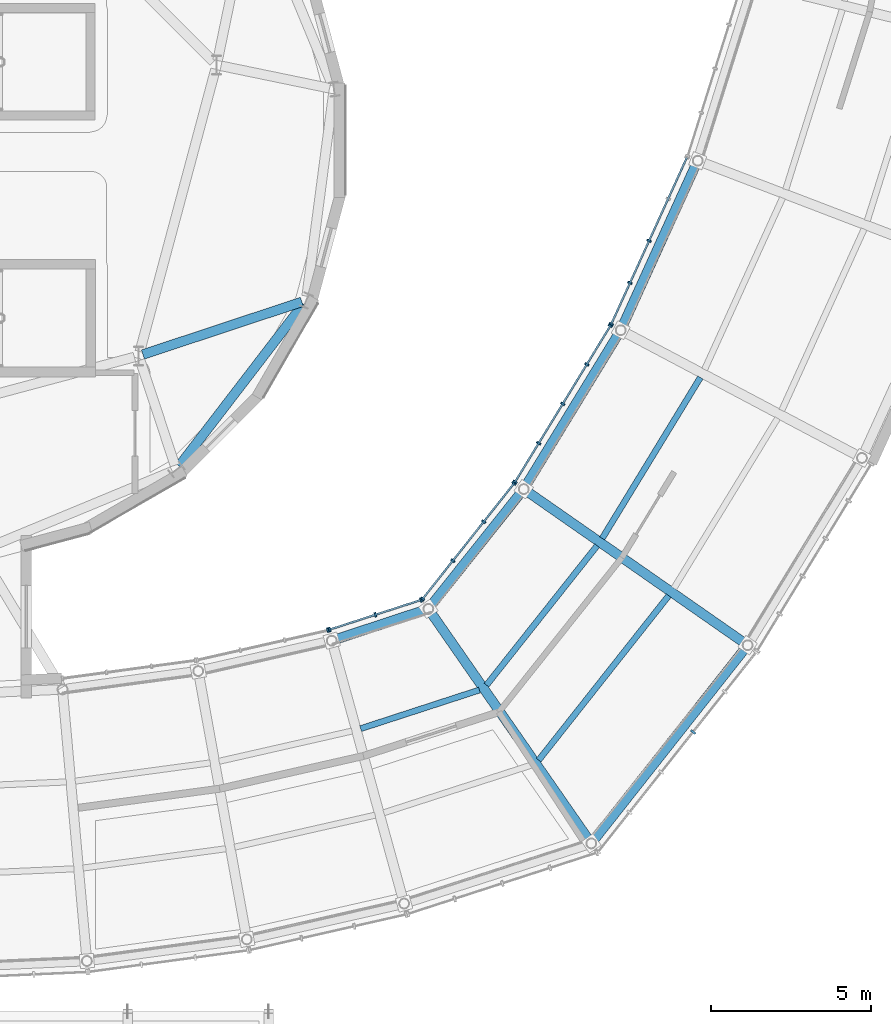
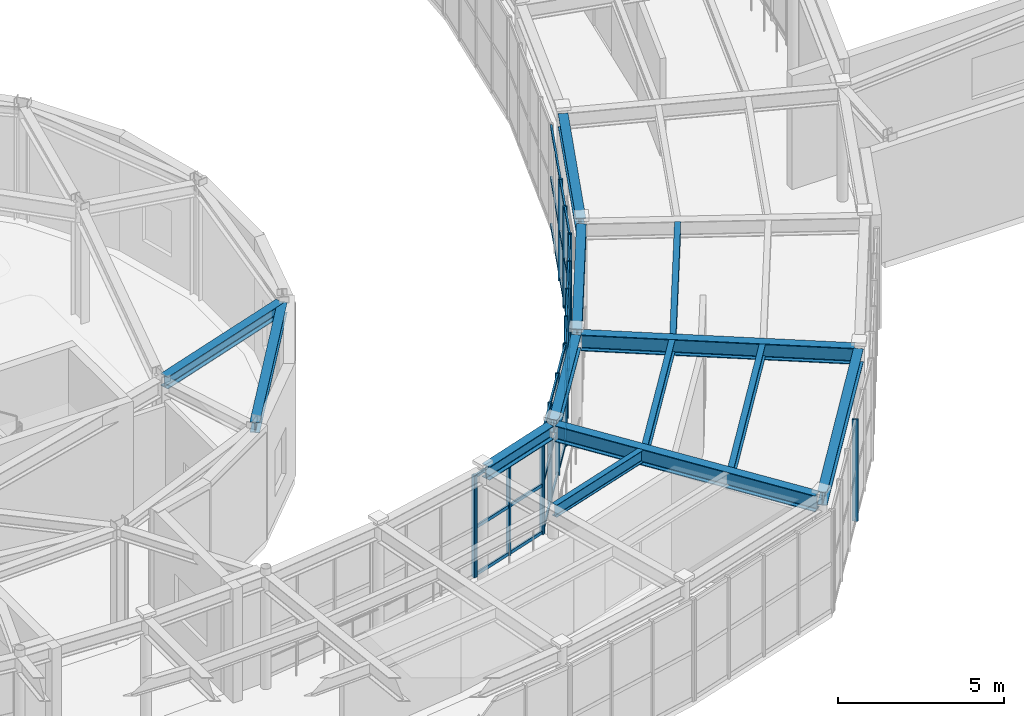
# One storey, part 29 of 103: 29 members, 13 beams, 6 elements without a shape of their own.
"""IFC4 building model written with IfcOpenShell, lengths in metres."""

from ifc_helpers import new_model, si_unit, direction, frame, origin, origin_2d, place, context, subcontext, project, spatial, rectangle, i_section, extrude, material, material_profile, profile_set, type_object, element, aggregate, save


model = new_model("IFC4")

# Units and contexts
model_context = context("Model", 3, precision=1e-05, world=origin(), true_north=direction((0.0, 1.0)))
body_context = subcontext(model_context, "Body", "Model", "MODEL_VIEW")
ifc_project = project(units=[si_unit("LENGTHUNIT", "METRE"), si_unit("AREAUNIT", "SQUARE_METRE"), si_unit("VOLUMEUNIT", "CUBIC_METRE"), si_unit("PLANEANGLEUNIT", "RADIAN"), si_unit("MASSUNIT", "GRAM", prefix="KILO")], contexts=[model_context])

# Site, building, storey
site_placement = place(None, origin())
site = spatial("IfcSite", under=ifc_project, at=site_placement, CompositionType="ELEMENT")
building_placement = place(site_placement, origin())
building = spatial("IfcBuilding", under=site, at=building_placement, Name="Varnklinge Art Gallery", CompositionType="ELEMENT")
storey_placement = place(building_placement, frame((0.0, 0.0, 5.10009765625)))
storey = spatial("IfcBuildingStorey", under=building, at=storey_placement, Name="L01", CompositionType="ELEMENT", Elevation=5.10009765625)

# Beams
ifc_material_1 = material(Name="Steel S355", Category="steel")
ifc_material_profile_1 = material_profile(ifc_material_1, i_section(OverallWidth=0.300048828125, OverallDepth=0.590087890625, WebThickness=0.012939453125, FlangeThickness=0.02490234375, FilletRadius=0.027099609375, at=origin_2d()), Name="HEA 600")
ifc_profile_set_1 = profile_set([ifc_material_profile_1], Name="Steel S355")
beam_type_1 = type_object("IfcBeamType", Name="BM-06", PredefinedType="BEAM", material=ifc_profile_set_1)
beam_1_placement = place(storey_placement, frame((96.19091796875, 16.755126953125, 3.885009765625), z_axis=(-0.570588727281, 0.821235961402, 0.0), x_axis=(-0.821235961402, -0.570588727281, 0.0)))
element("IfcBeam", 1, at=beam_1_placement, inside=storey, type_object=beam_type_1, Name="L01 BM-06 BM-V2-L02-R01", PredefinedType="BEAM", context=body_context, shape_type="SweptSolid", body=[
    extrude(i_section(OverallWidth=0.300048828125, OverallDepth=0.590087890625, WebThickness=0.012939453125, FlangeThickness=0.02490234375, FilletRadius=0.027099609375, at=origin_2d()), origin(), (0.0, 0.0, 1.0), 8.6318359375),
])
beam_2_placement = place(storey_placement, frame((101.03515625, 22.9052734375, 3.885009765625), z_axis=(-0.820324852304, 0.571897837635, 0.0), x_axis=(-0.571897837635, -0.820324852304, 0.0)))
element("IfcBeam", 2, at=beam_2_placement, inside=storey, type_object=beam_type_1, Name="L01 BM-06 BM-V2-L02-R02", PredefinedType="BEAM", context=body_context, shape_type="SweptSolid", body=[
    extrude(i_section(OverallWidth=0.300048828125, OverallDepth=0.590087890625, WebThickness=0.012939453125, FlangeThickness=0.02490234375, FilletRadius=0.027099609375, at=origin_2d()), origin(), (0.0, 0.0, 1.0), 8.2373046875),
])
ifc_material_2 = material(Name="Steel S355", Category="steel")
ifc_material_profile_2 = material_profile(ifc_material_2, i_section(OverallWidth=0.300048828125, OverallDepth=0.43994140625, WebThickness=0.011474609375, FlangeThickness=0.02099609375, FilletRadius=0.027099609375, at=origin_2d()), Name="HEA 450")
ifc_profile_set_2 = profile_set([ifc_material_profile_2], Name="Steel S355")
beam_type_2 = type_object("IfcBeamType", Name="BM-08", PredefinedType="BEAM", material=ifc_profile_set_2)
beam_3_placement = place(storey_placement, frame((82.27978515625, 31.897216796875, 3.97998046875), z_axis=(0.949354152102, 0.314208042366, 0.0), x_axis=(-0.314208042366, 0.949354152102, 0.0)))
element("IfcBeam", 3, at=beam_3_placement, inside=storey, type_object=beam_type_2, Name="L01 BM-08 BM-V4D-L02-R12", PredefinedType="BEAM", context=body_context, shape_type="SweptSolid", body=[
    extrude(i_section(OverallWidth=0.300048828125, OverallDepth=0.43994140625, WebThickness=0.011474609375, FlangeThickness=0.02099609375, FilletRadius=0.027099609375, at=origin_2d()), origin(), (0.0, 0.0, 1.0), 5.223876953125),
])
ifc_material_3 = material(Name="Steel S355", Category="steel")
ifc_material_profile_3 = material_profile(ifc_material_3, i_section(OverallWidth=0.18994140625, OverallDepth=0.449951171875, WebThickness=0.009521484375, FlangeThickness=0.0146484375, FilletRadius=0.02099609375, at=origin_2d()), Name="IPE 450")
ifc_profile_set_3 = profile_set([ifc_material_profile_3], Name="Steel S355")
beam_type_3 = type_object("IfcBeamType", Name="JST-04", PredefinedType="JOIST", material=ifc_profile_set_3)
beam_4_placement = place(storey_placement, frame((94.62890625, 19.23828125, 3.954833984375), z_axis=(0.620207823033, 0.784437541331, 0.0), x_axis=(-0.784437541331, 0.620207823033, 0.0)))
element("IfcBeam", 4, at=beam_4_placement, inside=storey, type_object=beam_type_3, Name="L01 JST-04 JST-V2-L02-01-1", PredefinedType="JOIST", context=body_context, shape_type="SweptSolid", body=[
    extrude(i_section(OverallWidth=0.18994140625, OverallDepth=0.449951171875, WebThickness=0.009521484375, FlangeThickness=0.0146484375, FilletRadius=0.02099609375, at=origin_2d()), origin(), (0.0, 0.0, 1.0), 6.5439453125),
])
beam_5_placement = place(storey_placement, frame((93.001708984375, 21.580322265625, 3.954833984375), z_axis=(0.621380748712, 0.783508752427, 0.0), x_axis=(-0.783508752427, 0.621380748712, 0.0)))
element("IfcBeam", 5, at=beam_5_placement, inside=storey, type_object=beam_type_3, Name="L01 JST-04 JST-V2-L02-01-2", PredefinedType="JOIST", context=body_context, shape_type="SweptSolid", body=[
    extrude(i_section(OverallWidth=0.18994140625, OverallDepth=0.449951171875, WebThickness=0.009521484375, FlangeThickness=0.0146484375, FilletRadius=0.02099609375, at=origin_2d()), origin(), (0.0, 0.0, 1.0), 5.552001953125),
])
beam_6_placement = place(storey_placement, frame((96.611572265625, 26.15966796875, 3.954833984375), z_axis=(0.520951279717, 0.853586412826, 0.0), x_axis=(-0.853586412826, 0.520951279717, 0.0)))
element("IfcBeam", 6, at=beam_6_placement, inside=storey, type_object=beam_type_3, Name="L01 JST-04 JST-V2-L02-02-2", PredefinedType="JOIST", context=body_context, shape_type="SweptSolid", body=[
    extrude(i_section(OverallWidth=0.18994140625, OverallDepth=0.449951171875, WebThickness=0.009521484375, FlangeThickness=0.0146484375, FilletRadius=0.02099609375, at=origin_2d()), origin(), (0.0, 0.0, 1.0), 5.8818359375),
])
beam_7_placement = place(storey_placement, frame((89.072509765625, 20.220703125, 3.954833984375), z_axis=(0.950949393045, 0.309346491603, 0.0), x_axis=(-0.309346491603, 0.950949393045, 0.0)))
element("IfcBeam", 7, at=beam_7_placement, inside=storey, type_object=beam_type_3, Name="L01 JST-04 JST-V2-L02-40-2", PredefinedType="JOIST", context=body_context, shape_type="SweptSolid", body=[
    extrude(i_section(OverallWidth=0.18994140625, OverallDepth=0.449951171875, WebThickness=0.009521484375, FlangeThickness=0.0146484375, FilletRadius=0.02099609375, at=origin_2d()), origin(), (0.0, 0.0, 1.0), 3.900390625),
])

# Curtain wall, member
ifc_material_4 = material(Name="Anodised Aluminium", Category="aluminium")
curtain_wall_type_1 = type_object("IfcCurtainWallType", Name="CW-R02", PredefinedType="USERDEFINED", material=ifc_material_4)
curtain_wall_1_placement = place(storey_placement, origin())
curtain_wall_1 = element("IfcCurtainWall", 8, at=curtain_wall_1_placement, inside=storey, type_object=curtain_wall_type_1, Name="L01 Curtain Wall CW-V2O-L01-01", ObjectType="UNITISED CURTAIN WALL", PredefinedType="USERDEFINED")
ifc_material_5 = material(Name="Anodised Aluminium", Category="aluminium")
ifc_material_profile_4 = material_profile(ifc_material_5, rectangle(XDim=0.06494140625, YDim=0.179931640625, at=origin_2d()), Name="ALU 65x180")
ifc_profile_set_4 = profile_set([ifc_material_profile_4], Name="Anodised Aluminium")
member_type_1 = type_object("IfcMemberType", Name="MUL-01", PredefinedType="MULLION", material=ifc_profile_set_4)
member_1_placement = place(storey_placement, frame((99.450439453125, 20.1162109375, 0.0), z_axis=(0.0, 0.0, 1.0), x_axis=(0.620737354217, 0.784018582101, 0.0)))
member_1 = element("IfcMember", 9, at=member_1_placement, type_object=member_type_1, Name="CW-V2O-L01-01 Mullion 4", PredefinedType="MULLION", context=body_context, shape_type="SweptSolid", body=[
    extrude(rectangle(XDim=0.06494140625, YDim=0.179931640625, at=origin_2d()), origin(), (0.0, 0.0, 1.0), 3.72998046875),
])
aggregate(curtain_wall_1, [member_1])

# Curtain wall, members
ifc_material_6 = material(Name="Anodised Aluminium", Category="aluminium")
curtain_wall_type_2 = type_object("IfcCurtainWallType", Name="CW-R04", PredefinedType="USERDEFINED", material=ifc_material_6)
curtain_wall_2_placement = place(storey_placement, origin())
curtain_wall_2 = element("IfcCurtainWall", 10, at=curtain_wall_2_placement, inside=storey, type_object=curtain_wall_type_2, Name="L01 Curtain Wall CW-V2I-L01-01", ObjectType="UNITISED CURTAIN WALL", PredefinedType="USERDEFINED")
ifc_material_7 = material(Name="Anodised Aluminium", Category="aluminium")
ifc_material_profile_5 = material_profile(ifc_material_7, rectangle(XDim=0.06005859375, YDim=0.139892578125, at=origin_2d()), Name="ALU 60x140")
ifc_profile_set_5 = profile_set([ifc_material_profile_5], Name="Anodised Aluminium")
member_type_2 = type_object("IfcMemberType", Name="MUL-03", PredefinedType="MULLION", material=ifc_profile_set_5)
member_2_placement = place(storey_placement, frame((93.857421875, 27.872802734375, 0.0), z_axis=(0.0, 0.0, 1.0), x_axis=(-0.620737354217, -0.784018582101, 0.0)))
member_2 = element("IfcMember", 11, at=member_2_placement, type_object=member_type_2, Name="CW-V2I-L01-01 Mullion 1", PredefinedType="MULLION", context=body_context, shape_type="SweptSolid", body=[
    extrude(rectangle(XDim=0.06005859375, YDim=0.139892578125, at=origin_2d()), origin(), (0.0, 0.0, 1.0), 3.72998046875),
])
member_3_placement = place(storey_placement, frame((92.91259765625, 26.6796875, 0.0), z_axis=(0.0, 0.0, 1.0), x_axis=(-0.620737354217, -0.784018582101, 0.0)))
member_3 = element("IfcMember", 12, at=member_3_placement, type_object=member_type_2, Name="CW-V2I-L01-01 Mullion 2", PredefinedType="MULLION", context=body_context, shape_type="SweptSolid", body=[
    extrude(rectangle(XDim=0.06005859375, YDim=0.139892578125, at=origin_2d()), origin(), (0.0, 0.0, 1.0), 3.72998046875),
])
member_4_placement = place(storey_placement, frame((91.94921875, 25.463134765625, 0.0), z_axis=(0.0, 0.0, 1.0), x_axis=(-0.620737354217, -0.784018582101, 0.0)))
member_4 = element("IfcMember", 13, at=member_4_placement, type_object=member_type_2, Name="CW-V2I-L01-01 Mullion 3", PredefinedType="MULLION", context=body_context, shape_type="SweptSolid", body=[
    extrude(rectangle(XDim=0.06005859375, YDim=0.139892578125, at=origin_2d()), origin(), (0.0, 0.0, 1.0), 3.72998046875),
])
member_5_placement = place(storey_placement, frame((91.004638671875, 24.27001953125, 0.0), z_axis=(0.0, 0.0, 1.0), x_axis=(-0.620737354217, -0.784018582101, 0.0)))
member_5 = element("IfcMember", 14, at=member_5_placement, type_object=member_type_2, Name="CW-V2I-L01-01 Mullion 4", PredefinedType="MULLION", context=body_context, shape_type="SweptSolid", body=[
    extrude(rectangle(XDim=0.06005859375, YDim=0.139892578125, at=origin_2d()), origin(), (0.0, 0.0, 1.0), 3.72998046875),
])

curtain_wall_3_placement = place(storey_placement, origin())
curtain_wall_3 = element("IfcCurtainWall", 15, at=curtain_wall_3_placement, inside=storey, type_object=curtain_wall_type_2, Name="L01 Curtain Wall CW-V2I-L01-02", ObjectType="UNITISED CURTAIN WALL", PredefinedType="USERDEFINED")
member_6_placement = place(storey_placement, frame((96.86474609375, 32.793701171875, 0.0), z_axis=(0.0, 0.0, 1.0), x_axis=(-0.520860651188, -0.85364171761, 0.0)))
member_6 = element("IfcMember", 16, at=member_6_placement, type_object=member_type_2, Name="CW-V2I-L01-02 Mullion 1", PredefinedType="MULLION", context=body_context, shape_type="SweptSolid", body=[
    extrude(rectangle(XDim=0.06005859375, YDim=0.139892578125, at=origin_2d()), origin(), (0.0, 0.0, 1.0), 3.72998046875),
])
member_7_placement = place(storey_placement, frame((96.129150390625, 31.58837890625, 0.0), z_axis=(0.0, 0.0, 1.0), x_axis=(-0.520860651188, -0.85364171761, 0.0)))
member_7 = element("IfcMember", 17, at=member_7_placement, type_object=member_type_2, Name="CW-V2I-L01-02 Mullion 2", PredefinedType="MULLION", context=body_context, shape_type="SweptSolid", body=[
    extrude(rectangle(XDim=0.06005859375, YDim=0.139892578125, at=origin_2d()), origin(), (0.0, 0.0, 1.0), 3.72998046875),
])
member_8_placement = place(storey_placement, frame((95.378173828125, 30.35791015625, 0.0), z_axis=(0.0, 0.0, 1.0), x_axis=(-0.520860651188, -0.85364171761, 0.0)))
member_8 = element("IfcMember", 18, at=member_8_placement, type_object=member_type_2, Name="CW-V2I-L01-02 Mullion 3", PredefinedType="MULLION", context=body_context, shape_type="SweptSolid", body=[
    extrude(rectangle(XDim=0.06005859375, YDim=0.139892578125, at=origin_2d()), origin(), (0.0, 0.0, 1.0), 3.72998046875),
])
member_9_placement = place(storey_placement, frame((94.627197265625, 29.127197265625, 0.0), z_axis=(0.0, 0.0, 1.0), x_axis=(-0.520860651188, -0.85364171761, 0.0)))
member_9 = element("IfcMember", 19, at=member_9_placement, type_object=member_type_2, Name="CW-V2I-L01-02 Mullion 4", PredefinedType="MULLION", context=body_context, shape_type="SweptSolid", body=[
    extrude(rectangle(XDim=0.06005859375, YDim=0.139892578125, at=origin_2d()), origin(), (0.0, 0.0, 1.0), 3.72998046875),
])
member_10_placement = place(storey_placement, frame((93.8916015625, 27.922119140625, 0.0), z_axis=(0.0, 0.0, 1.0), x_axis=(-0.520860651188, -0.85364171761, 0.0)))
member_10 = element("IfcMember", 20, at=member_10_placement, type_object=member_type_2, Name="CW-V2I-L01-02 Mullion 5", PredefinedType="MULLION", context=body_context, shape_type="SweptSolid", body=[
    extrude(rectangle(XDim=0.06005859375, YDim=0.139892578125, at=origin_2d()), origin(), (0.0, 0.0, 1.0), 3.72998046875),
])

curtain_wall_4_placement = place(storey_placement, origin())
curtain_wall_4 = element("IfcCurtainWall", 21, at=curtain_wall_4_placement, inside=storey, type_object=curtain_wall_type_2, Name="L01 Curtain Wall CW-V2I-L01-03", ObjectType="UNITISED CURTAIN WALL", PredefinedType="USERDEFINED")
member_11_placement = place(storey_placement, frame((98.072509765625, 35.44482421875, 0.0), z_axis=(0.0, 0.0, 1.0), x_axis=(-0.413422293217, -0.910539404678, 0.0)))
member_11 = element("IfcMember", 22, at=member_11_placement, type_object=member_type_2, Name="CW-V2I-L01-03 Mullion 3", PredefinedType="MULLION", context=body_context, shape_type="SweptSolid", body=[
    extrude(rectangle(XDim=0.06005859375, YDim=0.139892578125, at=origin_2d()), origin(), (0.0, 0.0, 1.0), 3.72998046875),
])
member_12_placement = place(storey_placement, frame((97.476318359375, 34.132080078125, 0.0), z_axis=(0.0, 0.0, 1.0), x_axis=(-0.413422293217, -0.910539404678, 0.0)))
member_12 = element("IfcMember", 23, at=member_12_placement, type_object=member_type_2, Name="CW-V2I-L01-03 Mullion 4", PredefinedType="MULLION", context=body_context, shape_type="SweptSolid", body=[
    extrude(rectangle(XDim=0.06005859375, YDim=0.139892578125, at=origin_2d()), origin(), (0.0, 0.0, 1.0), 3.72998046875),
])
member_13_placement = place(storey_placement, frame((96.892578125, 32.846435546875, 0.0), z_axis=(0.0, 0.0, 1.0), x_axis=(-0.413422293217, -0.910539404678, 0.0)))
member_13 = element("IfcMember", 24, at=member_13_placement, type_object=member_type_2, Name="CW-V2I-L01-03 Mullion 5", PredefinedType="MULLION", context=body_context, shape_type="SweptSolid", body=[
    extrude(rectangle(XDim=0.06005859375, YDim=0.139892578125, at=origin_2d()), origin(), (0.0, 0.0, 1.0), 3.72998046875),
])

# Curtain wall, member
curtain_wall_5_placement = place(storey_placement, origin())
curtain_wall_5 = element("IfcCurtainWall", 25, at=curtain_wall_5_placement, inside=storey, type_object=curtain_wall_type_2, Name="L01 Curtain Wall CW-V2I-L01-39", ObjectType="UNITISED CURTAIN WALL", PredefinedType="USERDEFINED")
member_14_placement = place(storey_placement, frame((88.04931640625, 23.297607421875, 0.0), z_axis=(0.0, 0.0, 1.0), x_axis=(-0.975071959883, -0.221888875454, 0.0)))
member_14 = element("IfcMember", 26, at=member_14_placement, type_object=member_type_2, Name="CW-V2I-L01-39 Mullion 1", PredefinedType="MULLION", context=body_context, shape_type="SweptSolid", body=[
    extrude(rectangle(XDim=0.06005859375, YDim=0.139892578125, at=origin_2d()), origin(), (0.0, 0.0, 1.0), 3.72998046875),
])
aggregate(curtain_wall_5, [member_14])

# Curtain wall, members
curtain_wall_6_placement = place(storey_placement, origin())
curtain_wall_6 = element("IfcCurtainWall", 27, at=curtain_wall_6_placement, inside=storey, type_object=curtain_wall_type_2, Name="L01 Curtain Wall CW-V2I-L01-40", ObjectType="UNITISED CURTAIN WALL", PredefinedType="USERDEFINED")
member_15_placement = place(storey_placement, frame((90.95751953125, 24.2373046875, 0.0), z_axis=(0.0, 0.0, 1.0), x_axis=(-0.951272019071, -0.30835295642, 0.0)))
member_15 = element("IfcMember", 28, at=member_15_placement, type_object=member_type_2, Name="CW-V2I-L01-40 Mullion 1", PredefinedType="MULLION", context=body_context, shape_type="SweptSolid", body=[
    extrude(rectangle(XDim=0.06005859375, YDim=0.139892578125, at=origin_2d()), origin(), (0.0, 0.0, 1.0), 3.72998046875),
])
member_16_placement = place(storey_placement, frame((89.5322265625, 23.775390625, 0.0), z_axis=(0.0, 0.0, 1.0), x_axis=(-0.951272019071, -0.30835295642, 0.0)))
member_16 = element("IfcMember", 29, at=member_16_placement, type_object=member_type_2, Name="CW-V2I-L01-40 Mullion 2", PredefinedType="MULLION", context=body_context, shape_type="SweptSolid", body=[
    extrude(rectangle(XDim=0.06005859375, YDim=0.139892578125, at=origin_2d()), origin(), (0.0, 0.0, 1.0), 3.72998046875),
])
member_17_placement = place(storey_placement, frame((88.107177734375, 23.3134765625, 0.0), z_axis=(0.0, 0.0, 1.0), x_axis=(-0.951272019071, -0.30835295642, 0.0)))
member_17 = element("IfcMember", 30, at=member_17_placement, type_object=member_type_2, Name="CW-V2I-L01-40 Mullion 3", PredefinedType="MULLION", context=body_context, shape_type="SweptSolid", body=[
    extrude(rectangle(XDim=0.06005859375, YDim=0.139892578125, at=origin_2d()), origin(), (0.0, 0.0, 1.0), 3.72998046875),
])

# Beams
ifc_material_8 = material(Name="Steel S355", Category="steel")
ifc_material_profile_6 = material_profile(ifc_material_8, i_section(OverallWidth=0.300048828125, OverallDepth=0.489990234375, WebThickness=0.011962890625, FlangeThickness=0.02294921875, FilletRadius=0.027099609375, at=origin_2d()), Name="HEA 500")
ifc_profile_set_6 = profile_set([ifc_material_profile_6], Name="Steel S355")
beam_type_4 = type_object("IfcBeamType", Name="SPB-01", PredefinedType="SPANDREL", material=ifc_profile_set_6)
beam_8_placement = place(storey_placement, frame((96.357666015625, 16.75, 3.934814453125), z_axis=(0.619327516232, 0.785132745233, 0.0), x_axis=(-0.785132745233, 0.619327516232, 0.0)))
element("IfcBeam", 31, at=beam_8_placement, inside=storey, type_object=beam_type_4, Name="L01 SPB-01 BM-V2-L02-O01", PredefinedType="SPANDREL", context=body_context, shape_type="SweptSolid", body=[
    extrude(i_section(OverallWidth=0.300048828125, OverallDepth=0.489990234375, WebThickness=0.011962890625, FlangeThickness=0.02294921875, FilletRadius=0.027099609375, at=origin_2d()), origin(), (0.0, 0.0, 1.0), 7.597900390625),
])
beam_9_placement = place(storey_placement, frame((91.27294921875, 24.068603515625, 3.934814453125), z_axis=(0.623138348458, 0.782111628018, 0.0), x_axis=(-0.782111628018, 0.623138348458, 0.0)))
element("IfcBeam", 32, at=beam_9_placement, inside=storey, type_object=beam_type_4, Name="L01 SPB-01 BM-V2-L02-I01", PredefinedType="SPANDREL", context=body_context, shape_type="SweptSolid", body=[
    extrude(i_section(OverallWidth=0.300048828125, OverallDepth=0.489990234375, WebThickness=0.011962890625, FlangeThickness=0.02294921875, FilletRadius=0.027099609375, at=origin_2d()), origin(), (0.0, 0.0, 1.0), 4.498046875),
])
beam_10_placement = place(storey_placement, frame((94.236083984375, 27.815673828125, 3.934814453125), z_axis=(0.520928443414, 0.853600349603, 0.0), x_axis=(-0.853600349603, 0.520928443414, 0.0)))
element("IfcBeam", 33, at=beam_10_placement, inside=storey, type_object=beam_type_4, Name="L01 SPB-01 BM-V2-L02-I02", PredefinedType="SPANDREL", context=body_context, shape_type="SweptSolid", body=[
    extrude(i_section(OverallWidth=0.300048828125, OverallDepth=0.489990234375, WebThickness=0.011962890625, FlangeThickness=0.02294921875, FilletRadius=0.027099609375, at=origin_2d()), origin(), (0.0, 0.0, 1.0), 5.52978515625),
])
beam_11_placement = place(storey_placement, frame((97.24755859375, 32.782958984375, 3.934814453125), z_axis=(0.413397065821, 0.910550858531, 0.0), x_axis=(-0.910550858531, 0.413397065821, 0.0)))
element("IfcBeam", 34, at=beam_11_placement, inside=storey, type_object=beam_type_4, Name="L01 SPB-01 BM-V2-L02-I03", PredefinedType="SPANDREL", context=body_context, shape_type="SweptSolid", body=[
    extrude(i_section(OverallWidth=0.300048828125, OverallDepth=0.489990234375, WebThickness=0.011962890625, FlangeThickness=0.02294921875, FilletRadius=0.027099609375, at=origin_2d()), origin(), (0.0, 0.0, 1.0), 5.529541015625),
])
beam_12_placement = place(storey_placement, frame((88.304443359375, 23.010498046875, 3.934814453125), z_axis=(0.94984963517, 0.312707004347, 0.0), x_axis=(-0.312707004347, 0.94984963517, 0.0)))
element("IfcBeam", 35, at=beam_12_placement, inside=storey, type_object=beam_type_4, Name="L01 SPB-01 BM-V2-L02-I40", PredefinedType="SPANDREL", context=body_context, shape_type="SweptSolid", body=[
    extrude(i_section(OverallWidth=0.300048828125, OverallDepth=0.489990234375, WebThickness=0.011962890625, FlangeThickness=0.02294921875, FilletRadius=0.027099609375, at=origin_2d()), origin(), (0.0, 0.0, 1.0), 2.893310546875),
])
ifc_material_9 = material(Name="Steel S355", Category="steel")
ifc_material_profile_7 = material_profile(ifc_material_9, i_section(OverallWidth=0.300048828125, OverallDepth=0.389892578125, WebThickness=0.010986328125, FlangeThickness=0.01904296875, FilletRadius=0.027099609375, at=origin_2d()), Name="HEA 400")
ifc_profile_set_7 = profile_set([ifc_material_profile_7], Name="Steel S355")
beam_type_5 = type_object("IfcBeamType", Name="SPB-03", PredefinedType="SPANDREL", material=ifc_profile_set_7)
beam_13_placement = place(storey_placement, frame((83.40771484375, 28.41650390625, 4.0048828125), z_axis=(0.608773359857, 0.793344185287, 0.0), x_axis=(-0.793344185287, 0.608773359857, 0.0)))
element("IfcBeam", 36, at=beam_13_placement, inside=storey, type_object=beam_type_5, Name="L01 SPB-03 BM-V4D-L02-P11", PredefinedType="SPANDREL", context=body_context, shape_type="SweptSolid", body=[
    extrude(i_section(OverallWidth=0.300048828125, OverallDepth=0.389892578125, WebThickness=0.010986328125, FlangeThickness=0.01904296875, FilletRadius=0.027099609375, at=origin_2d()), origin(), (0.0, 0.0, 1.0), 6.37158203125),
])

# Member
ifc_material_10 = material(Name="Anodised Aluminium", Category="aluminium")
ifc_material_profile_8 = material_profile(ifc_material_10, rectangle(XDim=0.06005859375, YDim=0.1201171875, at=origin_2d()), Name="ALU 60x120")
ifc_profile_set_8 = profile_set([ifc_material_profile_8], Name="Anodised Aluminium")
member_type_3 = type_object("IfcMemberType", Name="TRN-02", PredefinedType="USERDEFINED", material=ifc_profile_set_8)
member_18_placement = place(storey_placement, frame((93.857421875, 27.872802734375, 0.059814453125), z_axis=(-0.620780504553, -0.783984416405, 0.0), x_axis=(0.783984416405, -0.620780504553, 0.0)))
member_18 = element("IfcMember", 37, at=member_18_placement, type_object=member_type_3, Name="CW-V2I-L01-01 Transom 1", ObjectType="TRANSOM", PredefinedType="USERDEFINED", context=body_context, shape_type="SweptSolid", body=[
    extrude(rectangle(XDim=0.06005859375, YDim=0.1201171875, at=origin_2d()), origin(), (0.0, 0.0, 1.0), 4.595458984375),
])

member_19_placement = place(storey_placement, frame((93.857421875, 27.872802734375, 1.790283203125), z_axis=(-0.620780504553, -0.783984416405, 0.0), x_axis=(0.783984416405, -0.620780504553, 0.0)))
member_19 = element("IfcMember", 38, at=member_19_placement, type_object=member_type_3, Name="CW-V2I-L01-01 Transom 2", ObjectType="TRANSOM", PredefinedType="USERDEFINED", context=body_context, shape_type="SweptSolid", body=[
    extrude(rectangle(XDim=0.06005859375, YDim=0.1201171875, at=origin_2d()), origin(), (0.0, 0.0, 1.0), 4.595458984375),
])

member_20_placement = place(storey_placement, frame((93.857421875, 27.872802734375, 3.669921875), z_axis=(-0.620780504553, -0.783984416405, 0.0), x_axis=(0.783984416405, -0.620780504553, 0.0)))
member_20 = element("IfcMember", 39, at=member_20_placement, type_object=member_type_3, Name="CW-V2I-L01-01 Transom 3", ObjectType="TRANSOM", PredefinedType="USERDEFINED", context=body_context, shape_type="SweptSolid", body=[
    extrude(rectangle(XDim=0.06005859375, YDim=0.1201171875, at=origin_2d()), origin(), (0.0, 0.0, 1.0), 4.595458984375),
])

aggregate(curtain_wall_2, [member_2, member_3, member_4, member_5, member_18, member_19, member_20])

member_21_placement = place(storey_placement, frame((96.86474609375, 32.793701171875, 0.059814453125), z_axis=(-0.520948121202, -0.853588340488, 0.0), x_axis=(0.853588340488, -0.520948121202, 0.0)))
member_21 = element("IfcMember", 40, at=member_21_placement, type_object=member_type_3, Name="CW-V2I-L01-02 Transom 1", ObjectType="TRANSOM", PredefinedType="USERDEFINED", context=body_context, shape_type="SweptSolid", body=[
    extrude(rectangle(XDim=0.06005859375, YDim=0.1201171875, at=origin_2d()), origin(), (0.0, 0.0, 1.0), 5.707275390625),
])

member_22_placement = place(storey_placement, frame((96.86474609375, 32.793701171875, 1.790283203125), z_axis=(-0.520948121202, -0.853588340488, 0.0), x_axis=(0.853588340488, -0.520948121202, 0.0)))
member_22 = element("IfcMember", 41, at=member_22_placement, type_object=member_type_3, Name="CW-V2I-L01-02 Transom 2", ObjectType="TRANSOM", PredefinedType="USERDEFINED", context=body_context, shape_type="SweptSolid", body=[
    extrude(rectangle(XDim=0.06005859375, YDim=0.1201171875, at=origin_2d()), origin(), (0.0, 0.0, 1.0), 5.707275390625),
])

member_23_placement = place(storey_placement, frame((96.86474609375, 32.793701171875, 3.669921875), z_axis=(-0.520948121202, -0.853588340488, 0.0), x_axis=(0.853588340488, -0.520948121202, 0.0)))
member_23 = element("IfcMember", 42, at=member_23_placement, type_object=member_type_3, Name="CW-V2I-L01-02 Transom 3", ObjectType="TRANSOM", PredefinedType="USERDEFINED", context=body_context, shape_type="SweptSolid", body=[
    extrude(rectangle(XDim=0.06005859375, YDim=0.1201171875, at=origin_2d()), origin(), (0.0, 0.0, 1.0), 5.707275390625),
])

aggregate(curtain_wall_3, [member_6, member_7, member_8, member_9, member_10, member_21, member_22, member_23])

member_24_placement = place(storey_placement, frame((99.251953125, 38.043212890625, 0.059814453125), z_axis=(-0.413396814736, -0.910550972525, 0.0), x_axis=(0.910550972525, -0.413396814736, 0.0)))
member_24 = element("IfcMember", 43, at=member_24_placement, type_object=member_type_3, Name="CW-V2I-L01-03 Transom 1", ObjectType="TRANSOM", PredefinedType="USERDEFINED", context=body_context, shape_type="SweptSolid", body=[
    extrude(rectangle(XDim=0.06005859375, YDim=0.1201171875, at=origin_2d()), origin(), (0.0, 0.0, 1.0), 5.707275390625),
])

member_25_placement = place(storey_placement, frame((99.251953125, 38.043212890625, 1.790283203125), z_axis=(-0.413396814736, -0.910550972525, 0.0), x_axis=(0.910550972525, -0.413396814736, 0.0)))
member_25 = element("IfcMember", 44, at=member_25_placement, type_object=member_type_3, Name="CW-V2I-L01-03 Transom 2", ObjectType="TRANSOM", PredefinedType="USERDEFINED", context=body_context, shape_type="SweptSolid", body=[
    extrude(rectangle(XDim=0.06005859375, YDim=0.1201171875, at=origin_2d()), origin(), (0.0, 0.0, 1.0), 5.707275390625),
])

member_26_placement = place(storey_placement, frame((99.251953125, 38.043212890625, 3.669921875), z_axis=(-0.413396814736, -0.910550972525, 0.0), x_axis=(0.910550972525, -0.413396814736, 0.0)))
member_26 = element("IfcMember", 45, at=member_26_placement, type_object=member_type_3, Name="CW-V2I-L01-03 Transom 3", ObjectType="TRANSOM", PredefinedType="USERDEFINED", context=body_context, shape_type="SweptSolid", body=[
    extrude(rectangle(XDim=0.06005859375, YDim=0.1201171875, at=origin_2d()), origin(), (0.0, 0.0, 1.0), 5.707275390625),
])

aggregate(curtain_wall_4, [member_11, member_12, member_13, member_24, member_25, member_26])

member_27_placement = place(storey_placement, frame((90.95751953125, 24.2373046875, 0.059814453125), z_axis=(-0.9512822555, -0.308321375144, 0.0), x_axis=(0.308321375144, -0.9512822555, 0.0)))
member_27 = element("IfcMember", 46, at=member_27_placement, type_object=member_type_3, Name="CW-V2I-L01-40 Transom 1", ObjectType="TRANSOM", PredefinedType="USERDEFINED", context=body_context, shape_type="SweptSolid", body=[
    extrude(rectangle(XDim=0.06005859375, YDim=0.1201171875, at=origin_2d()), origin(), (0.0, 0.0, 1.0), 2.996337890625),
])

member_28_placement = place(storey_placement, frame((90.95751953125, 24.2373046875, 1.790283203125), z_axis=(-0.9512822555, -0.308321375144, 0.0), x_axis=(0.308321375144, -0.9512822555, 0.0)))
member_28 = element("IfcMember", 47, at=member_28_placement, type_object=member_type_3, Name="CW-V2I-L01-40 Transom 2", ObjectType="TRANSOM", PredefinedType="USERDEFINED", context=body_context, shape_type="SweptSolid", body=[
    extrude(rectangle(XDim=0.06005859375, YDim=0.1201171875, at=origin_2d()), origin(), (0.0, 0.0, 1.0), 2.996337890625),
])

member_29_placement = place(storey_placement, frame((90.95751953125, 24.2373046875, 3.669921875), z_axis=(-0.9512822555, -0.308321375144, 0.0), x_axis=(0.308321375144, -0.9512822555, 0.0)))
member_29 = element("IfcMember", 48, at=member_29_placement, type_object=member_type_3, Name="CW-V2I-L01-40 Transom 3", ObjectType="TRANSOM", PredefinedType="USERDEFINED", context=body_context, shape_type="SweptSolid", body=[
    extrude(rectangle(XDim=0.06005859375, YDim=0.1201171875, at=origin_2d()), origin(), (0.0, 0.0, 1.0), 2.996337890625),
])

aggregate(curtain_wall_6, [member_15, member_16, member_17, member_27, member_28, member_29])

save(model, "model.ifc")
